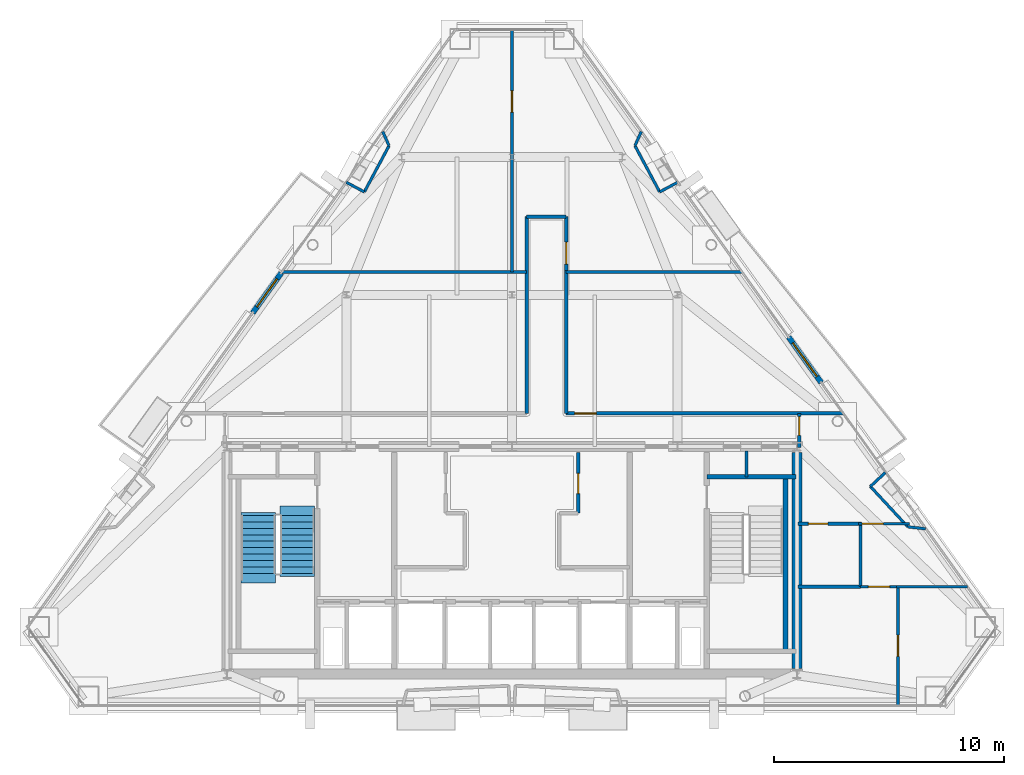
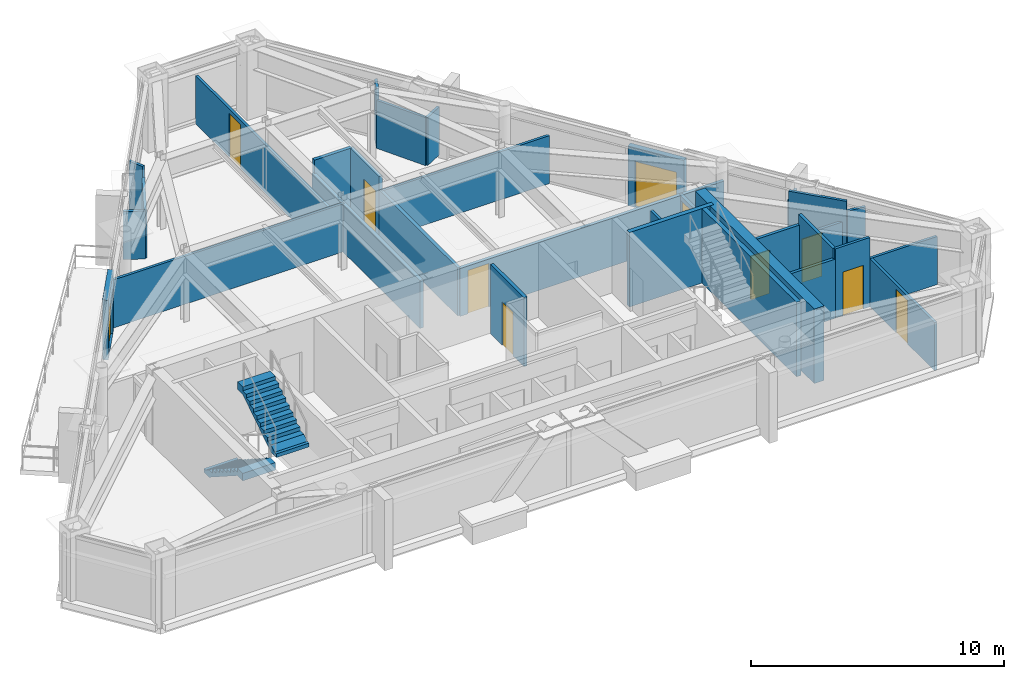
# One storey, part 9 of 12: 32 walls, 11 doors, 2 stair flights, 11 openings, 1 element without a shape of its own.
"""IFC4 building model written with IfcOpenShell, lengths in metres."""

from ifc_helpers import new_model, si_unit, direction, frame, frame_2d, origin, place, context, subcontext, project, spatial, polyline, rectangle, outline, extrude, material, layer, layer_set, type_object, element, fill, aggregate, save


model = new_model("IFC4")

# Units and contexts
model_context = context("Model", 3, precision=1e-05, world=origin(), true_north=direction((0.0, 1.0)))
body_context = subcontext(model_context, "Body", "Model", "MODEL_VIEW")
ifc_project = project(units=[si_unit("LENGTHUNIT", "METRE"), si_unit("AREAUNIT", "SQUARE_METRE"), si_unit("VOLUMEUNIT", "CUBIC_METRE"), si_unit("PLANEANGLEUNIT", "RADIAN"), si_unit("MASSUNIT", "GRAM", prefix="KILO")], contexts=[model_context])

# Site, building, storey
site_placement = place(None, origin())
site = spatial("IfcSite", under=ifc_project, at=site_placement, CompositionType="ELEMENT")
building_placement = place(site_placement, origin())
building = spatial("IfcBuilding", under=site, at=building_placement, Name="Talgorran Terracotta Tower", CompositionType="ELEMENT")
storey_placement = place(building_placement, frame((0.0, 0.0, 259.800048828125)))
storey = spatial("IfcBuildingStorey", under=building, at=storey_placement, Name="L68", CompositionType="ELEMENT", Elevation=259.800048828125)

# Wall, opening, door
ifc_material_1 = material(Name="Concrete C40/50", Category="concrete")
ifc_layer_1 = layer(ifc_material_1, 0.239990234375, Name="WT_BALCONY_SPAND")
ifc_layer_set_1 = layer_set([ifc_layer_1], Name="Concrete C40/50")
wall_type_1 = type_object("IfcWallType", Name="WT_BALCONY_SPAND", PredefinedType="STANDARD", material=ifc_layer_set_1)
wall_1_placement = place(storey_placement, frame((13.458251953125, -1.417236328125, -0.01513671875), z_axis=(0.0, 0.0, 1.0), x_axis=(-0.582146480264, 0.813083928949, 0.0)))
wall_1 = element("IfcWall", 1, at=wall_1_placement, inside=storey, type_object=wall_type_1, Name="WL-L68-BALP-BAL-NE", PredefinedType="STANDARD", context=body_context, shape_type="SweptSolid", body=[
    extrude(rectangle(XDim=2.43994140625, YDim=0.239990234375, at=frame_2d((1.219970703125, 0.0))), origin(), (0.0, 0.0, 1.0), 2.878173828125),
])
opening_1_placement = place(wall_1_placement, frame((0.320068359375, 0.0, 0.014892578125)))
opening_1 = element("IfcOpeningElement", 2, at=opening_1_placement, cuts=wall_1, Name="Opening D-BAL-L68-1", PredefinedType="OPENING", context=body_context, shape_type="SweptSolid", body=[
    extrude(rectangle(XDim=1.806048828125, YDim=2.203951171875, at=frame_2d((0.89990234375, 1.10205078125))), frame((0.0, 0.1298828125, 0.0), z_axis=(0.0, -1.0, 0.0), x_axis=(1.0, 0.0, 0.0)), (0.0, 0.0, 1.0), 0.260009765625),
])
ifc_material_2 = material(Name="Thermally Broken Aluminium", Category="aluminium")
door_type_1 = type_object("IfcDoorType", Name="DT_BALC_1800", OperationType="SLIDING_TO_LEFT", PredefinedType="DOOR", material=ifc_material_2)
door_1_placement = place(opening_1_placement, origin())
door_1 = element("IfcDoor", 3, at=door_1_placement, inside=storey, type_object=door_type_1, Name="DR-L68-BAL-BAL-NE", OperationType="SLIDING_TO_LEFT", OverallHeight=2.199951171875, OverallWidth=1.800048828125, PredefinedType="DOOR", context=body_context, shape_type="SweptSolid", body=[
    extrude(rectangle(XDim=1.800048828125, YDim=2.199951171875, at=frame_2d((0.89990234375, 1.10009765625))), frame((0.0, 0.02490234375, 0.0), z_axis=(0.0, -1.0, 0.0), x_axis=(1.0, 0.0, 0.0)), (0.0, 0.0, 1.0), 0.050048828125),
])
fill(opening_1, door_1)

wall_2_placement = place(storey_placement, frame((-10.039306640625, 3.357421875, -0.01513671875), z_axis=(0.0, 0.0, 1.0), x_axis=(-0.58216589686, -0.813070026832, 0.0)))
wall_2 = element("IfcWall", 4, at=wall_2_placement, inside=storey, type_object=wall_type_1, Name="WL-L68-BALP-BAL-NW", PredefinedType="STANDARD", context=body_context, shape_type="SweptSolid", body=[
    extrude(rectangle(XDim=2.14013671875, YDim=0.239990234375, at=frame_2d((1.070068359375, 0.0))), origin(), (0.0, 0.0, 1.0), 2.878173828125),
])
opening_2_placement = place(wall_2_placement, frame((0.320068359375, 0.0, 0.014892578125)))
opening_2 = element("IfcOpeningElement", 5, at=opening_2_placement, cuts=wall_2, Name="Opening D-BAL-L68-2", PredefinedType="OPENING", context=body_context, shape_type="SweptSolid", body=[
    extrude(rectangle(XDim=1.506, YDim=2.203951171875, at=frame_2d((0.75, 1.10205078125))), frame((0.0, 0.1298828125, 0.0), z_axis=(0.0, -1.0, 0.0), x_axis=(1.0, 0.0, 0.0)), (0.0, 0.0, 1.0), 0.260009765625),
])
door_type_2 = type_object("IfcDoorType", Name="DT_BALC_1500", OperationType="SLIDING_TO_RIGHT", PredefinedType="DOOR", material=ifc_material_2)
door_2_placement = place(opening_2_placement, origin())
door_2 = element("IfcDoor", 6, at=door_2_placement, inside=storey, type_object=door_type_2, Name="DR-L68-BAL-BAL-NW", OperationType="SLIDING_TO_RIGHT", OverallHeight=2.199951171875, OverallWidth=1.5, PredefinedType="DOOR", context=body_context, shape_type="SweptSolid", body=[
    extrude(rectangle(XDim=1.5, YDim=2.199951171875, at=frame_2d((0.75, 1.10009765625))), frame((0.0, 0.02490234375, 0.0), z_axis=(0.0, -1.0, 0.0), x_axis=(1.0, 0.0, 0.0)), (0.0, 0.0, 1.0), 0.050048828125),
])
fill(opening_2, door_2)

# Walls
ifc_material_3 = material(Name="Concrete C50/60", Category="concrete")
ifc_layer_2 = layer(ifc_material_3, 0.199951171875, Name="WT_CORE_200")
ifc_layer_set_2 = layer_set([ifc_layer_2], Name="Concrete C50/60")
wall_type_2 = type_object("IfcWallType", Name="WT_CORE_200", PredefinedType="SOLIDWALL", material=ifc_layer_set_2)
wall_3_placement = place(storey_placement, frame((8.47998046875, -5.52001953125, 0.0), z_axis=(0.0, 0.0, 1.0), x_axis=(1.0, 0.0, 0.0)))
element("IfcWall", 7, at=wall_3_placement, inside=storey, type_object=wall_type_2, Name="WL-L68-CW-ST2-N", PredefinedType="SOLIDWALL", context=body_context, shape_type="SweptSolid", body=[
    extrude(rectangle(XDim=3.8701171875, YDim=0.199951171875, at=frame_2d((1.93505859375, 0.0))), origin(), (0.0, 0.0, 1.0), 3.599853515625),
])
wall_4_placement = place(storey_placement, frame((11.89990234375, -13.10009765625, 0.0), z_axis=(0.0, 0.0, 1.0), x_axis=(0.0, 1.0, 0.0)))
element("IfcWall", 8, at=wall_4_placement, inside=storey, type_object=wall_type_2, Name="WL-L68-CW-ST2-E", PredefinedType="SOLIDWALL", context=body_context, shape_type="SweptSolid", body=[
    extrude(rectangle(XDim=7.580078125, YDim=0.199951171875, at=frame_2d((3.7900390625, 0.0))), origin(), (0.0, 0.0, 1.0), 3.599853515625),
])
ifc_material_4 = material(Name="Concrete C65/80", Category="concrete")
ifc_layer_3 = layer(ifc_material_4, 0.449951171875, Name="WT_CORE_EXT")
ifc_layer_set_3 = layer_set([ifc_layer_3], Name="Concrete C65/80")
wall_type_3 = type_object("IfcWallType", Name="WT_CORE_EXT", PredefinedType="SHEAR", material=ifc_layer_set_3)
wall_5_placement = place(storey_placement, frame((12.39990234375, -13.85009765625, 0.0), z_axis=(0.0, 0.0, 1.0), x_axis=(0.0, 1.0, 0.0)))
element("IfcWall", 9, at=wall_5_placement, inside=storey, type_object=wall_type_3, Name="WL-L68-CW-OUT-E", PredefinedType="SHEAR", context=body_context, shape_type="SweptSolid", body=[
    extrude(rectangle(XDim=9.400146484375, YDim=0.449951171875, at=frame_2d((4.7001953125, 0.0))), origin(), (0.0, 0.0, 1.0), 3.599853515625),
])

# Wall, opening, door
ifc_material_5 = material(Name="Fire-Rated Steel Stud Plasterboard", Category="steel")
ifc_layer_4 = layer(ifc_material_5, 0.14990234375, Name="WT_FIRE_150")
ifc_layer_set_4 = layer_set([ifc_layer_4], Name="Fire-Rated Steel Stud Plasterboard")
wall_type_4 = type_object("IfcWallType", Name="WT_FIRE_150", PredefinedType="PARTITIONING", material=ifc_layer_set_4)
wall_6_placement = place(storey_placement, frame((2.8798828125, -7.10009765625, 0.0), z_axis=(0.0, 0.0, 1.0), x_axis=(0.0, 1.0, 0.0)))
wall_6 = element("IfcWall", 10, at=wall_6_placement, inside=storey, type_object=wall_type_4, Name="WL-L68-CW-V-E3N", PredefinedType="PARTITIONING", context=body_context, shape_type="SweptSolid", body=[
    extrude(rectangle(XDim=2.650146484375, YDim=0.14990234375, at=frame_2d((1.3251953125, 0.0))), origin(), (0.0, 0.0, 1.0), 3.344970703125),
])
opening_3_placement = place(wall_6_placement, frame((0.85009765625, 0.0, 0.0)))
opening_3 = element("IfcOpeningElement", 11, at=opening_3_placement, cuts=wall_6, Name="Opening DR-FRPLM-B", PredefinedType="OPENING", context=body_context, shape_type="SweptSolid", body=[
    extrude(rectangle(XDim=0.8858828125, YDim=2.10409765625, at=frame_2d((0.43994140625, 1.052001953125))), frame((0.0, 0.0849609375, 0.0), z_axis=(0.0, -1.0, 0.0), x_axis=(1.0, 0.0, 0.0)), (0.0, 0.0, 1.0), 0.169921875),
])
ifc_material_6 = material(Name="Solid-Core Painted Timber", Category="wood")
door_type_3 = type_object("IfcDoorType", Name="DT_INT_880", OperationType="NOTDEFINED", PredefinedType="DOOR", material=ifc_material_6)
door_3_placement = place(opening_3_placement, origin())
door_3 = element("IfcDoor", 12, at=door_3_placement, inside=storey, type_object=door_type_3, Name="DR-FRPLM-B", OperationType="SINGLE_SWING_RIGHT", OverallHeight=2.10009765625, OverallWidth=0.8798828125, PredefinedType="DOOR", context=body_context, shape_type="SweptSolid", body=[
    extrude(rectangle(XDim=0.8798828125, YDim=2.10009765625, at=frame_2d((0.43994140625, 1.050048828125))), frame((0.0, 0.02490234375, 0.0), z_axis=(0.0, -1.0, 0.0), x_axis=(1.0, 0.0, 0.0)), (0.0, 0.0, 1.0), 0.050048828125),
])
fill(opening_3, door_3)

wall_7_placement = place(storey_placement, frame((2.360107421875, -2.760009765625, 0.0), z_axis=(0.0, 0.0, 1.0), x_axis=(1.0, 0.0, 0.0)))
wall_7 = element("IfcWall", 13, at=wall_7_placement, inside=storey, type_object=wall_type_4, Name="WL-L68-W-L68-R04", PredefinedType="PARTITIONING", context=body_context, shape_type="SweptSolid", body=[
    extrude(rectangle(XDim=12.059814453125, YDim=0.14990234375, at=frame_2d((6.02978515625, 0.0))), origin(), (0.0, 0.0, 1.0), 2.320068359375),
])
opening_4_placement = place(wall_7_placement, frame((0.359619140625, 0.0, 0.0)))
opening_4 = element("IfcOpeningElement", 14, at=opening_4_placement, cuts=wall_7, Name="Opening DR-L68-R07", PredefinedType="OPENING", context=body_context, shape_type="SweptSolid", body=[
    extrude(rectangle(XDim=0.955951171875, YDim=2.10409765625, at=frame_2d((0.47509765625, 1.052001953125))), frame((0.0, 0.0849609375, 0.0), z_axis=(0.0, -1.0, 0.0), x_axis=(1.0, 0.0, 0.0)), (0.0, 0.0, 1.0), 0.169921875),
])
ifc_material_7 = material(Name="Fire-Rated Timber Core", Category="wood")
door_type_4 = type_object("IfcDoorType", Name="DT_FIRE_950", OperationType="NOTDEFINED", PredefinedType="DOOR", material=ifc_material_7)
door_4_placement = place(opening_4_placement, origin())
door_4 = element("IfcDoor", 15, at=door_4_placement, inside=storey, type_object=door_type_4, Name="DR-L68-R07", OperationType="SINGLE_SWING_LEFT", OverallHeight=2.10009765625, OverallWidth=0.949951171875, PredefinedType="DOOR", context=body_context, shape_type="SweptSolid", body=[
    extrude(rectangle(XDim=0.949951171875, YDim=2.10009765625, at=frame_2d((0.47509765625, 1.050048828125))), frame((0.0, 0.02490234375, 0.0), z_axis=(0.0, -1.0, 0.0), x_axis=(1.0, 0.0, 0.0)), (0.0, 0.0, 1.0), 0.050048828125),
])
fill(opening_4, door_4)

# Walls
wall_8_placement = place(storey_placement, frame((2.360107421875, -2.760009765625, 0.0), z_axis=(0.0, 0.0, 1.0), x_axis=(0.0, 1.0, 0.0)))
element("IfcWall", 16, at=wall_8_placement, inside=storey, type_object=wall_type_4, Name="WL-L68-W-L68-R03", PredefinedType="PARTITIONING", context=body_context, shape_type="SweptSolid", body=[
    extrude(rectangle(XDim=6.219970703125, YDim=0.14990234375, at=frame_2d((3.10986328125, 0.0))), origin(), (0.0, 0.0, 1.0), 2.320068359375),
])
wall_9_placement = place(storey_placement, frame((0.639892578125, -2.760009765625, 0.0), z_axis=(0.0, 0.0, 1.0), x_axis=(0.0, 1.0, 0.0)))
element("IfcWall", 17, at=wall_9_placement, inside=storey, type_object=wall_type_4, Name="WL-L68-W-L68-R09", PredefinedType="PARTITIONING", context=body_context, shape_type="SweptSolid", body=[
    extrude(rectangle(XDim=8.56005859375, YDim=0.14990234375, at=frame_2d((4.280029296875, 0.0))), origin(), (0.0, 0.0, 1.0), 2.320068359375),
])

# Wall, opening, door
wall_10_placement = place(storey_placement, frame((2.360107421875, 3.4619140625, 0.0), z_axis=(0.0, 0.0, 1.0), x_axis=(0.0, 1.0, 0.0)))
wall_10 = element("IfcWall", 18, at=wall_10_placement, inside=storey, type_object=wall_type_4, Name="WL-L68-W-L68-R07", PredefinedType="PARTITIONING", context=body_context, shape_type="SweptSolid", body=[
    extrude(rectangle(XDim=2.338134765625, YDim=0.14990234375, at=frame_2d((1.1689453125, 0.0))), origin(), (0.0, 0.0, 1.0), 2.96435546875),
])
opening_5_placement = place(wall_10_placement, frame((0.27587890625, 0.0, 0.0)))
opening_5 = element("IfcOpeningElement", 19, at=opening_5_placement, cuts=wall_10, Name="Opening DR-L68-R09", PredefinedType="OPENING", context=body_context, shape_type="SweptSolid", body=[
    extrude(rectangle(XDim=0.955951171875, YDim=2.10409765625, at=frame_2d((0.47509765625, 1.052001953125))), frame((0.0, 0.0849609375, 0.0), z_axis=(0.0, -1.0, 0.0), x_axis=(1.0, 0.0, 0.0)), (0.0, 0.0, 1.0), 0.169921875),
])
door_5_placement = place(opening_5_placement, origin())
door_5 = element("IfcDoor", 20, at=door_5_placement, inside=storey, type_object=door_type_4, Name="DR-L68-R09", OperationType="SINGLE_SWING_LEFT", OverallHeight=2.10009765625, OverallWidth=0.949951171875, PredefinedType="DOOR", context=body_context, shape_type="SweptSolid", body=[
    extrude(rectangle(XDim=0.949951171875, YDim=2.10009765625, at=frame_2d((0.47509765625, 1.050048828125))), frame((0.0, 0.02490234375, 0.0), z_axis=(0.0, -1.0, 0.0), x_axis=(1.0, 0.0, 0.0)), (0.0, 0.0, 1.0), 0.050048828125),
])
fill(opening_5, door_5)

# Wall
wall_11_placement = place(storey_placement, frame((0.639892578125, 5.800048828125, 0.0), z_axis=(0.0, 0.0, 1.0), x_axis=(1.0, 0.0, 0.0)))
element("IfcWall", 21, at=wall_11_placement, inside=storey, type_object=wall_type_4, Name="WL-L68-W-L68-R06", PredefinedType="PARTITIONING", context=body_context, shape_type="SweptSolid", body=[
    extrude(rectangle(XDim=1.72021484375, YDim=0.14990234375, at=frame_2d((0.860107421875, 0.0))), origin(), (0.0, 0.0, 1.0), 2.96435546875),
])

# Wall, opening, door
wall_12_placement = place(storey_placement, frame((12.5, -4.239990234375, 0.0), z_axis=(0.0, 0.0, 1.0), x_axis=(0.0, 1.0, 0.0)))
wall_12 = element("IfcWall", 22, at=wall_12_placement, inside=storey, type_object=wall_type_4, Name="WL-L68-W-L68-R02", PredefinedType="PARTITIONING", context=body_context, shape_type="SweptSolid", body=[
    extrude(rectangle(XDim=1.47998046875, YDim=0.14990234375, at=frame_2d((0.739990234375, 0.0))), origin(), (0.0, 0.0, 1.0), 2.320068359375),
])
opening_6_placement = place(wall_12_placement, frame((0.521728515625, 0.0, 0.0)))
opening_6 = element("IfcOpeningElement", 23, at=opening_6_placement, cuts=wall_12, Name="Opening DR-L68-R02", PredefinedType="OPENING", context=body_context, shape_type="SweptSolid", body=[
    extrude(rectangle(XDim=0.826068359375, YDim=2.10409765625, at=frame_2d((0.41015625, 1.052001953125))), frame((0.0, 0.0849609375, 0.0), z_axis=(0.0, -1.0, 0.0), x_axis=(1.0, 0.0, 0.0)), (0.0, 0.0, 1.0), 0.169921875),
])
ifc_material_8 = material(Name="Moisture-Resistant Solid Timber", Category="wood")
door_type_5 = type_object("IfcDoorType", Name="DT_INT_820", OperationType="NOTDEFINED", PredefinedType="DOOR", material=ifc_material_8)
door_6_placement = place(opening_6_placement, origin())
door_6 = element("IfcDoor", 24, at=door_6_placement, inside=storey, type_object=door_type_5, Name="DR-L68-R02", OperationType="SINGLE_SWING_RIGHT", OverallHeight=2.10009765625, OverallWidth=0.820068359375, PredefinedType="DOOR", context=body_context, shape_type="SweptSolid", body=[
    extrude(rectangle(XDim=0.820068359375, YDim=2.10009765625, at=frame_2d((0.41015625, 1.050048828125))), frame((0.0, 0.02490234375, 0.0), z_axis=(0.0, -1.0, 0.0), x_axis=(1.0, 0.0, 0.0)), (0.0, 0.0, 1.0), 0.050048828125),
])
fill(opening_6, door_6)

# Wall
ifc_material_9 = material(Name="Insulated Steel Stud Plasterboard", Category="steel")
ifc_layer_5 = layer(ifc_material_9, 0.1201171875, Name="WT_PART_120")
ifc_layer_set_5 = layer_set([ifc_layer_5], Name="Insulated Steel Stud Plasterboard")
wall_type_5 = type_object("IfcWallType", Name="WT_PART_120", PredefinedType="PARTITIONING", material=ifc_layer_set_5)
wall_13_placement = place(storey_placement, frame((10.199951171875, -5.52001953125, 0.0), z_axis=(0.0, 0.0, 1.0), x_axis=(0.0, 1.0, 0.0)))
element("IfcWall", 25, at=wall_13_placement, inside=storey, type_object=wall_type_5, Name="WL-L68-CW-CSE-DIV", PredefinedType="PARTITIONING", context=body_context, shape_type="SweptSolid", body=[
    extrude(rectangle(XDim=1.1201171875, YDim=0.1201171875, at=frame_2d((0.56005859375, 0.0))), origin(), (0.0, 0.0, 1.0), 3.344970703125),
])

# Wall, opening, door
wall_14_placement = place(storey_placement, frame((0.0, 3.39990234375, 0.0), z_axis=(0.0, 0.0, 1.0), x_axis=(0.0, 1.0, 0.0)))
wall_14 = element("IfcWall", 26, at=wall_14_placement, inside=storey, type_object=wall_type_5, Name="WL-L68-W-L68-R18", PredefinedType="PARTITIONING", context=body_context, shape_type="SweptSolid", body=[
    extrude(rectangle(XDim=10.536865234375, YDim=0.1201171875, at=frame_2d((5.2685546875, 0.0))), origin(), (0.0, 0.0, 1.0), 2.320068359375),
])
opening_7_placement = place(wall_14_placement, frame((6.95751953125, 0.0, 0.0)))
opening_7 = element("IfcOpeningElement", 27, at=opening_7_placement, cuts=wall_14, Name="Opening DR-L68-R08", PredefinedType="OPENING", context=body_context, shape_type="SweptSolid", body=[
    extrude(rectangle(XDim=0.925921875, YDim=2.10409765625, at=frame_2d((0.4599609375, 1.052001953125))), frame((0.0, 0.070068359375, 0.0), z_axis=(0.0, -1.0, 0.0), x_axis=(1.0, 0.0, 0.0)), (0.0, 0.0, 1.0), 0.14013671875),
])
door_type_6 = type_object("IfcDoorType", Name="DT_INT_920", OperationType="NOTDEFINED", PredefinedType="DOOR", material=ifc_material_6)
door_7_placement = place(opening_7_placement, origin())
door_7 = element("IfcDoor", 28, at=door_7_placement, inside=storey, type_object=door_type_6, Name="DR-L68-R08", OperationType="SINGLE_SWING_RIGHT", OverallHeight=2.10009765625, OverallWidth=0.919921875, PredefinedType="DOOR", context=body_context, shape_type="SweptSolid", body=[
    extrude(rectangle(XDim=0.919921875, YDim=2.10009765625, at=frame_2d((0.4599609375, 1.050048828125))), frame((0.0, 0.02490234375, 0.0), z_axis=(0.0, -1.0, 0.0), x_axis=(1.0, 0.0, 0.0)), (0.0, 0.0, 1.0), 0.050048828125),
])
fill(opening_7, door_7)

# Walls
wall_15_placement = place(storey_placement, frame((-10.0087890625, 3.39990234375, 0.0), z_axis=(0.0, 0.0, 1.0), x_axis=(1.0, 0.0, 0.0)))
element("IfcWall", 29, at=wall_15_placement, inside=storey, type_object=wall_type_5, Name="WL-L68-W-L68-R19", PredefinedType="PARTITIONING", context=body_context, shape_type="SweptSolid", body=[
    extrude(rectangle(XDim=10.648681640625, YDim=0.1201171875, at=frame_2d((5.32421875, 0.0))), origin(), (0.0, 0.0, 1.0), 2.320068359375),
])
wall_16_placement = place(storey_placement, frame((2.360107421875, 3.39990234375, 0.0), z_axis=(0.0, 0.0, 1.0), x_axis=(1.0, 0.0, 0.0)))
element("IfcWall", 30, at=wall_16_placement, inside=storey, type_object=wall_type_5, Name="WL-L68-W-L68-R17", PredefinedType="PARTITIONING", context=body_context, shape_type="SweptSolid", body=[
    extrude(rectangle(XDim=7.648681640625, YDim=0.1201171875, at=frame_2d((3.82421875, 0.0))), origin(), (0.0, 0.0, 1.0), 2.320068359375),
])

# Wall, opening, door
wall_17_placement = place(storey_placement, frame((16.800048828125, -15.46337890625, 0.0), z_axis=(0.0, 0.0, 1.0), x_axis=(0.0, 1.0, 0.0)))
wall_17 = element("IfcWall", 31, at=wall_17_placement, inside=storey, type_object=wall_type_5, Name="WL-L68-W-L68-R16", PredefinedType="PARTITIONING", context=body_context, shape_type="SweptSolid", body=[
    extrude(rectangle(XDim=5.163330078125, YDim=0.1201171875, at=frame_2d((2.58154296875, 0.0))), origin(), (0.0, 0.0, 1.0), 2.320068359375),
])
opening_8_placement = place(wall_17_placement, frame((2.131591796875, 0.0, 0.0)))
opening_8 = element("IfcOpeningElement", 32, at=opening_8_placement, cuts=wall_17, Name="Opening DR-L68-R06", PredefinedType="OPENING", context=body_context, shape_type="SweptSolid", body=[
    extrude(rectangle(XDim=0.925921875, YDim=2.10409765625, at=frame_2d((0.4599609375, 1.052001953125))), frame((0.0, 0.070068359375, 0.0), z_axis=(0.0, -1.0, 0.0), x_axis=(1.0, 0.0, 0.0)), (0.0, 0.0, 1.0), 0.14013671875),
])
door_8_placement = place(opening_8_placement, origin())
door_8 = element("IfcDoor", 33, at=door_8_placement, inside=storey, type_object=door_type_6, Name="DR-L68-R06", OperationType="SINGLE_SWING_RIGHT", OverallHeight=2.10009765625, OverallWidth=0.919921875, PredefinedType="DOOR", context=body_context, shape_type="SweptSolid", body=[
    extrude(rectangle(XDim=0.919921875, YDim=2.10009765625, at=frame_2d((0.4599609375, 1.050048828125))), frame((0.0, 0.02490234375, 0.0), z_axis=(0.0, -1.0, 0.0), x_axis=(1.0, 0.0, 0.0)), (0.0, 0.0, 1.0), 0.050048828125),
])
fill(opening_8, door_8)

# Walls
wall_18_placement = place(storey_placement, frame((16.739990234375, -10.300048828125, 0.0), z_axis=(0.0, 0.0, 1.0), x_axis=(1.0, 0.0, 0.0)))
element("IfcWall", 34, at=wall_18_placement, inside=storey, type_object=wall_type_5, Name="WL-L68-W-L68-R15", PredefinedType="PARTITIONING", context=body_context, shape_type="SweptSolid", body=[
    extrude(rectangle(XDim=3.0791015625, YDim=0.1201171875, at=frame_2d((1.53955078125, 0.0))), origin(), (0.0, 0.0, 1.0), 2.320068359375),
])
wall_19_placement = place(storey_placement, frame((17.220703125, -7.692626953125, 0.0), z_axis=(0.0, 0.0, 1.0), x_axis=(-0.679546396481, 0.733632534059, 0.0)))
element("IfcWall", 35, at=wall_19_placement, inside=storey, type_object=wall_type_5, Name="WL-L68-BW-L68-12", PredefinedType="PARTITIONING", context=body_context, shape_type="SweptSolid", body=[
    extrude(rectangle(XDim=2.392333984375, YDim=0.1201171875, at=frame_2d((1.1962890625, 0.0))), origin(), (0.0, 0.0, 1.0), 3.344970703125),
])
for number, where, z_axis, x_axis, name in (
    (36, (-5.349609375, 8.890380859375, 0.0), (0.0, 0.0, 1.0), (-0.471954108288, -0.88162311657, 0.0), "WL-L68-BW-L68-14"),
    (37, (6.42626953125, 6.879150390625, 0.0), (0.0, 0.0, 1.0), (-0.471954108288, 0.88162311657, 0.0), "WL-L68-BW-L68-17"),
):
    element("IfcWall", number, at=place(storey_placement, frame(where, z_axis=z_axis, x_axis=x_axis)), inside=storey, type_object=wall_type_5, Name=name, PredefinedType="PARTITIONING", context=body_context, shape_type="SweptSolid", body=[
        extrude(rectangle(XDim=2.28125, YDim=0.1201171875, at=frame_2d((1.140625, 0.0))), origin(), (0.0, 0.0, 1.0), 2.320068359375),
    ])

# Wall, opening, door
wall_20_placement = place(storey_placement, frame((15.080078125, -7.56005859375, 0.0), z_axis=(0.0, 0.0, 1.0), x_axis=(1.0, 0.0, 0.0)))
wall_20 = element("IfcWall", 38, at=wall_20_placement, inside=storey, type_object=wall_type_5, Name="WL-L68-W-L68-R11", PredefinedType="PARTITIONING", context=body_context, shape_type="SweptSolid", body=[
    extrude(rectangle(XDim=2.219970703125, YDim=0.1201171875, at=frame_2d((1.10986328125, 0.0))), origin(), (0.0, 0.0, 1.0), 2.320068359375),
])
opening_9_placement = place(wall_20_placement, frame((0.159912109375, 0.0, 0.0)))
opening_9 = element("IfcOpeningElement", 39, at=opening_9_placement, cuts=wall_20, Name="Opening DR-L68-R04", PredefinedType="OPENING", context=body_context, shape_type="SweptSolid", body=[
    extrude(rectangle(XDim=0.925921875, YDim=2.10409765625, at=frame_2d((0.4599609375, 1.052001953125))), frame((0.0, 0.070068359375, 0.0), z_axis=(0.0, -1.0, 0.0), x_axis=(1.0, 0.0, 0.0)), (0.0, 0.0, 1.0), 0.14013671875),
])
door_9_placement = place(opening_9_placement, origin())
door_9 = element("IfcDoor", 40, at=door_9_placement, inside=storey, type_object=door_type_6, Name="DR-L68-R04", OperationType="SINGLE_SWING_RIGHT", OverallHeight=2.10009765625, OverallWidth=0.919921875, PredefinedType="DOOR", context=body_context, shape_type="SweptSolid", body=[
    extrude(rectangle(XDim=0.919921875, YDim=2.10009765625, at=frame_2d((0.4599609375, 1.050048828125))), frame((0.0, 0.02490234375, 0.0), z_axis=(0.0, -1.0, 0.0), x_axis=(1.0, 0.0, 0.0)), (0.0, 0.0, 1.0), 0.050048828125),
])
fill(opening_9, door_9)

wall_21_placement = place(storey_placement, frame((15.159912109375, -10.300048828125, 0.0), z_axis=(0.0, 0.0, 1.0), x_axis=(1.0, 0.0, 0.0)))
wall_21 = element("IfcWall", 41, at=wall_21_placement, inside=storey, type_object=wall_type_5, Name="WL-L68-W-L68-R14", PredefinedType="PARTITIONING", context=body_context, shape_type="SweptSolid", body=[
    extrude(rectangle(XDim=1.578125, YDim=0.1201171875, at=frame_2d((0.7890625, 0.0))), origin(), (0.0, 0.0, 1.0), 3.344970703125),
])
opening_10_placement = place(wall_21_placement, frame((0.351318359375, 0.0, 0.0)))
opening_10 = element("IfcOpeningElement", 42, at=opening_10_placement, cuts=wall_21, Name="Opening DR-L68-R05", PredefinedType="OPENING", context=body_context, shape_type="SweptSolid", body=[
    extrude(rectangle(XDim=0.925921875, YDim=2.10409765625, at=frame_2d((0.4599609375, 1.052001953125))), frame((0.0, 0.070068359375, 0.0), z_axis=(0.0, -1.0, 0.0), x_axis=(1.0, 0.0, 0.0)), (0.0, 0.0, 1.0), 0.14013671875),
])
door_10_placement = place(opening_10_placement, origin())
door_10 = element("IfcDoor", 43, at=door_10_placement, inside=storey, type_object=door_type_6, Name="DR-L68-R05", OperationType="SINGLE_SWING_LEFT", OverallHeight=2.10009765625, OverallWidth=0.919921875, PredefinedType="DOOR", context=body_context, shape_type="SweptSolid", body=[
    extrude(rectangle(XDim=0.919921875, YDim=2.10009765625, at=frame_2d((0.4599609375, 1.050048828125))), frame((0.0, 0.02490234375, 0.0), z_axis=(0.0, -1.0, 0.0), x_axis=(1.0, 0.0, 0.0)), (0.0, 0.0, 1.0), 0.050048828125),
])
fill(opening_10, door_10)

# Walls
wall_22_placement = place(storey_placement, frame((15.594970703125, -5.9375, 0.0), z_axis=(0.0, 0.0, 1.0), x_axis=(0.733563468534, 0.679620951437, 0.0)))
element("IfcWall", 44, at=wall_22_placement, inside=storey, type_object=wall_type_5, Name="WL-L68-BW-L68-10", PredefinedType="PARTITIONING", context=body_context, shape_type="SweptSolid", body=[
    extrude(rectangle(XDim=0.8916015625, YDim=0.1201171875, at=frame_2d((0.44580078125, 0.0))), origin(), (0.0, 0.0, 1.0), 2.863037109375),
])
for number, where, z_axis, x_axis, name in (
    (45, (-6.42626953125, 6.879150390625, 0.0), (0.0, 0.0, 1.0), (-0.881603040492, 0.47199160903, 0.0), "WL-L68-BW-L68-15"),
    (46, (7.2060546875, 7.296630859375, 0.0), (0.0, 0.0, 1.0), (-0.881603040492, -0.47199160903, 0.0), "WL-L68-BW-L68-16"),
):
    element("IfcWall", number, at=place(storey_placement, frame(where, z_axis=z_axis, x_axis=x_axis)), inside=storey, type_object=wall_type_5, Name=name, PredefinedType="PARTITIONING", context=body_context, shape_type="SweptSolid", body=[
        extrude(rectangle(XDim=0.884521484375, YDim=0.1201171875, at=frame_2d((0.4423828125, 0.0))), origin(), (0.0, 0.0, 1.0), 2.320068359375),
    ])
wall_23_placement = place(storey_placement, frame((18.00439453125, -7.782958984375, 0.0), z_axis=(0.0, 0.0, 1.0), x_axis=(-0.993422482681, 0.114506641306, 0.0)))
element("IfcWall", 47, at=wall_23_placement, inside=storey, type_object=wall_type_5, Name="WL-L68-BW-L68-11", PredefinedType="PARTITIONING", context=body_context, shape_type="SweptSolid", body=[
    extrude(rectangle(XDim=0.788818359375, YDim=0.1201171875, at=frame_2d((0.39453125, 0.0))), origin(), (0.0, 0.0, 1.0), 2.863037109375),
])
for number, where, z_axis, x_axis, name in (
    (48, (-5.625244140625, 9.50439453125, 0.0), (0.0, 0.0, 1.0), (0.409534953577, -0.912294427144, 0.0), "WL-L68-BW-L68-13"),
    (49, (5.349609375, 8.890380859375, 0.0), (0.0, 0.0, 1.0), (0.409534953577, 0.912294427144, 0.0), "WL-L68-BW-L68-18"),
):
    element("IfcWall", number, at=place(storey_placement, frame(where, z_axis=z_axis, x_axis=x_axis)), inside=storey, type_object=wall_type_5, Name=name, PredefinedType="PARTITIONING", context=body_context, shape_type="SweptSolid", body=[
        extrude(rectangle(XDim=0.673095703125, YDim=0.1201171875, at=frame_2d((0.33642578125, 0.0))), origin(), (0.0, 0.0, 1.0), 2.863037109375),
    ])

# Wall, opening, door
ifc_material_10 = material(Name="Moisture-Resistant Stud Wall")
ifc_layer_6 = layer(ifc_material_10, 0.135009765625, Name="WT_PART_135")
ifc_layer_set_6 = layer_set([ifc_layer_6], Name="Moisture-Resistant Stud Wall")
wall_type_6 = type_object("IfcWallType", Name="WT_PART_135", PredefinedType="PARTITIONING", material=ifc_layer_set_6)
wall_24_placement = place(storey_placement, frame((12.43994140625, -7.56005859375, 0.0), z_axis=(0.0, 0.0, 1.0), x_axis=(1.0, 0.0, 0.0)))
wall_24 = element("IfcWall", 50, at=wall_24_placement, inside=storey, type_object=wall_type_6, Name="WL-L68-W-L68-R10", PredefinedType="PARTITIONING", context=body_context, shape_type="SweptSolid", body=[
    extrude(rectangle(XDim=2.760009765625, YDim=0.135009765625, at=frame_2d((1.3798828125, 0.0))), origin(), (0.0, 0.0, 1.0), 2.863037109375),
])
opening_11_placement = place(wall_24_placement, frame((0.458251953125, 0.0, 0.0)))
opening_11 = element("IfcOpeningElement", 51, at=opening_11_placement, cuts=wall_24, Name="Opening DR-L68-R03", PredefinedType="OPENING", context=body_context, shape_type="SweptSolid", body=[
    extrude(rectangle(XDim=0.85609765625, YDim=2.10409765625, at=frame_2d((0.425048828125, 1.052001953125))), frame((0.0, 0.07763671875, 0.0), z_axis=(0.0, -1.0, 0.0), x_axis=(1.0, 0.0, 0.0)), (0.0, 0.0, 1.0), 0.155029296875),
])
door_type_7 = type_object("IfcDoorType", Name="DT_INT_850", OperationType="NOTDEFINED", PredefinedType="DOOR", material=ifc_material_8)
door_11_placement = place(opening_11_placement, origin())
door_11 = element("IfcDoor", 52, at=door_11_placement, inside=storey, type_object=door_type_7, Name="DR-L68-R03", OperationType="SINGLE_SWING_LEFT", OverallHeight=2.10009765625, OverallWidth=0.85009765625, PredefinedType="DOOR", context=body_context, shape_type="SweptSolid", body=[
    extrude(rectangle(XDim=0.85009765625, YDim=2.10009765625, at=frame_2d((0.425048828125, 1.050048828125))), frame((0.0, 0.02490234375, 0.0), z_axis=(0.0, -1.0, 0.0), x_axis=(1.0, 0.0, 0.0)), (0.0, 0.0, 1.0), 0.050048828125),
])
fill(opening_11, door_11)

# Walls
wall_25_placement = place(storey_placement, frame((15.159912109375, -10.300048828125, 0.0), z_axis=(0.0, 0.0, 1.0), x_axis=(0.0, 1.0, 0.0)))
element("IfcWall", 53, at=wall_25_placement, inside=storey, type_object=wall_type_6, Name="WL-L68-W-L68-R12", PredefinedType="PARTITIONING", context=body_context, shape_type="SweptSolid", body=[
    extrude(rectangle(XDim=2.739990234375, YDim=0.135009765625, at=frame_2d((1.3701171875, 0.0))), origin(), (0.0, 0.0, 1.0), 3.344970703125),
])
wall_26_placement = place(storey_placement, frame((12.43994140625, -10.300048828125, 0.0), z_axis=(0.0, 0.0, 1.0), x_axis=(1.0, 0.0, 0.0)))
element("IfcWall", 54, at=wall_26_placement, inside=storey, type_object=wall_type_6, Name="WL-L68-W-L68-R13", PredefinedType="PARTITIONING", context=body_context, shape_type="SweptSolid", body=[
    extrude(rectangle(XDim=2.719970703125, YDim=0.135009765625, at=frame_2d((1.35986328125, 0.0))), origin(), (0.0, 0.0, 1.0), 2.863037109375),
])

# Stair, stair flights
stair_type = type_object("IfcStairType", Name="ST_FIRE_SCISSOR", PredefinedType="HALF_TURN_STAIR", material=ifc_material_1)
stair_placement = place(storey_placement, origin())
stair = element("IfcStair", 55, at=stair_placement, inside=storey, type_object=stair_type, Name="L68 West Protected Fire Stair ST-01", PredefinedType="HALF_TURN_STAIR")
ifc_layer_7 = layer(ifc_material_1, 0.179931640625, Name="STF_RC_1500")
ifc_layer_set_7 = layer_set([ifc_layer_7], Name="Concrete C40/50")
stair_flight_type = type_object("IfcStairFlightType", Name="STF_RC_1500", PredefinedType="STRAIGHT", material=ifc_layer_set_7)
stair_flight_1_placement = place(storey_placement, frame((-11.050048828125, -7.199951171875, 0.0), z_axis=(0.0, 0.0, 1.0), x_axis=(0.0, -1.0, 0.0)))
stair_flight_1 = element("IfcStairFlight", 56, at=stair_flight_1_placement, type_object=stair_flight_type, Name="ST-01 flight 1", NumberOfRisers=10, NumberOfTreads=9, PredefinedType="STRAIGHT", RiserHeight=0.18, TreadLength=0.28, context=body_context, shape_type="SweptSolid", body=[
    extrude(outline(polyline([(-0.139892578125, 0.0), (-0.139892578125, 0.179931640625), (0.0, 0.179931640625), (0.280029296875, 0.360107421875), (0.56005859375, 0.360107421875), (0.56005859375, 0.5400390625), (0.840087890625, 0.5400390625), (0.840087890625, 0.719970703125), (1.1201171875, 0.719970703125), (1.1201171875, 0.89990234375), (1.39990234375, 0.89990234375), (1.39990234375, 1.080078125), (1.679931640625, 1.080078125), (1.679931640625, 1.260009765625), (1.9599609375, 1.260009765625), (1.9599609375, 1.43994140625), (2.239990234375, 1.43994140625), (2.239990234375, 1.6201171875), (2.52001953125, 1.6201171875), (2.52001953125, 1.800048828125), (2.93994140625, 1.800048828125), (2.93994140625, 1.44189453125), (2.52001953125, 1.44189453125), (0.277099609375, 0.0), (-0.139892578125, 0.0)])), frame((0.0, 0.75, 0.0), z_axis=(0.0, -1.0, 0.0), x_axis=(1.0, 0.0, 0.0)), (0.0, 0.0, 1.0), 1.5),
])
stair_flight_2_placement = place(storey_placement, frame((-9.35009765625, -9.719970703125, 1.800048828125), z_axis=(0.0, 0.0, 1.0), x_axis=(0.0, 1.0, 0.0)))
stair_flight_2 = element("IfcStairFlight", 57, at=stair_flight_2_placement, type_object=stair_flight_type, Name="ST-01 flight 2", NumberOfRisers=10, NumberOfTreads=9, PredefinedType="STRAIGHT", RiserHeight=0.18, TreadLength=0.28, context=body_context, shape_type="SweptSolid", body=[
    extrude(outline(polyline([(-0.139892578125, 0.0), (-0.139892578125, 0.179931640625), (0.0, 0.179931640625), (0.280029296875, 0.360107421875), (0.56005859375, 0.360107421875), (0.56005859375, 0.5400390625), (0.840087890625, 0.5400390625), (0.840087890625, 0.719970703125), (1.1201171875, 0.719970703125), (1.1201171875, 0.89990234375), (1.39990234375, 0.89990234375), (1.39990234375, 1.080078125), (1.679931640625, 1.080078125), (1.679931640625, 1.260009765625), (1.9599609375, 1.260009765625), (1.9599609375, 1.43994140625), (2.239990234375, 1.43994140625), (2.239990234375, 1.6201171875), (2.52001953125, 1.6201171875), (2.52001953125, 1.800048828125), (2.93994140625, 1.800048828125), (2.93994140625, 1.44189453125), (2.52001953125, 1.44189453125), (0.277099609375, 0.0), (-0.139892578125, 0.0)])), frame((0.0, 0.75, 0.0), z_axis=(0.0, -1.0, 0.0), x_axis=(1.0, 0.0, 0.0)), (0.0, 0.0, 1.0), 1.5),
])
aggregate(stair, [stair_flight_1, stair_flight_2])

save(model, "model.ifc")
